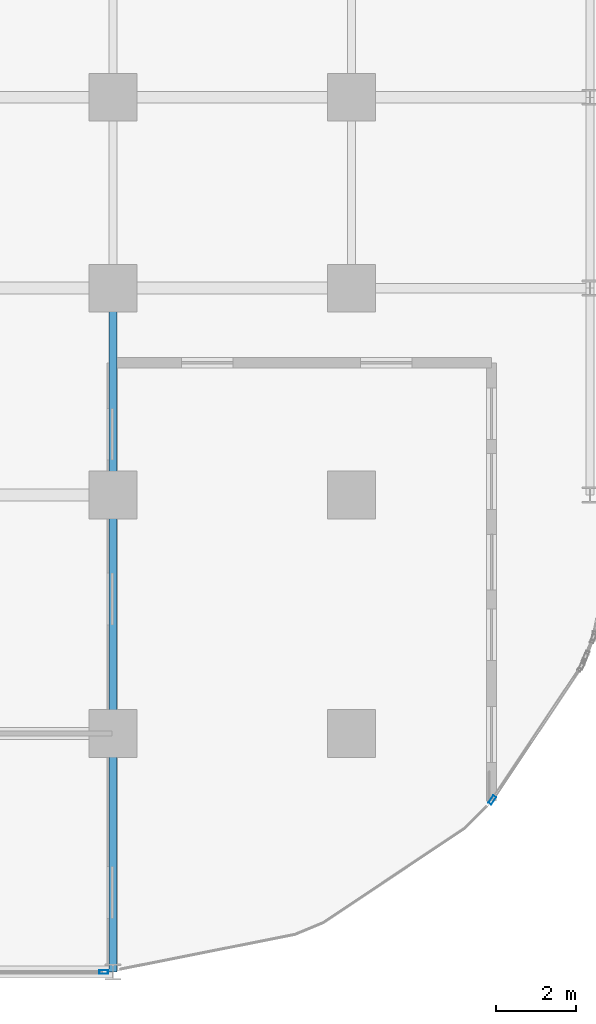
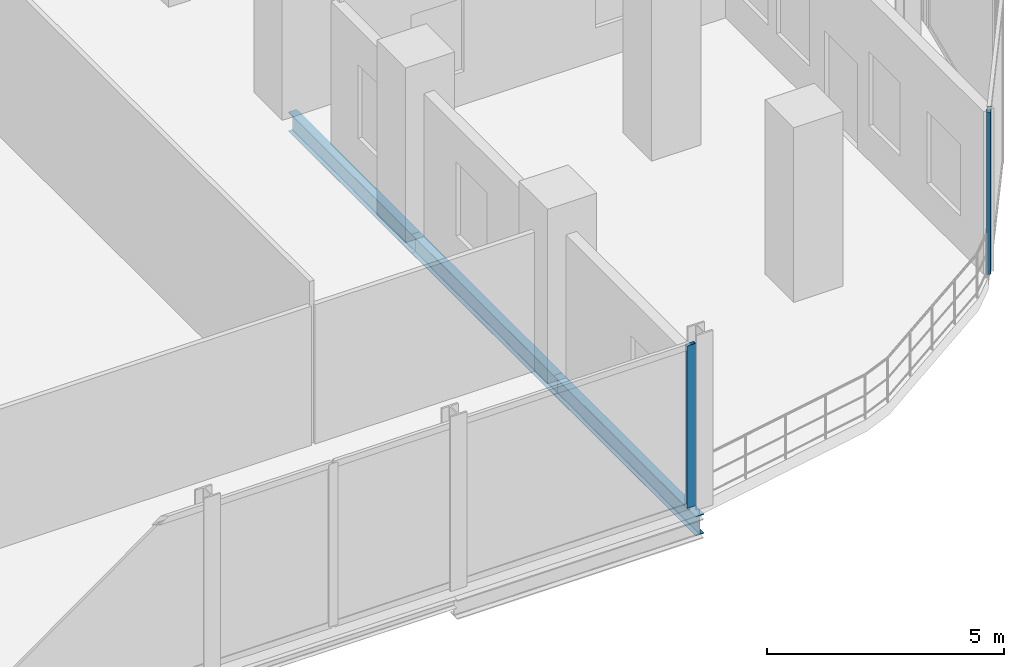
# One storey, part 10 of 30: 3 beams, 2 members, 2 elements without a shape of their own.
"""IFC4 building model written with IfcOpenShell, lengths in metres."""

from ifc_helpers import new_model, si_unit, direction, frame, origin, origin_2d, place, context, subcontext, project, spatial, hollow_rectangle, i_section, extrude, material, layer, layer_set, material_profile, profile_set, type_object, element, aggregate, save


model = new_model("IFC4")

# Units and contexts
model_context = context("Model", 3, precision=1e-05, world=origin(), true_north=direction((0.0, 1.0)))
body_context = subcontext(model_context, "Body", "Model", "MODEL_VIEW")
ifc_project = project(units=[si_unit("LENGTHUNIT", "METRE"), si_unit("AREAUNIT", "SQUARE_METRE"), si_unit("VOLUMEUNIT", "CUBIC_METRE"), si_unit("PLANEANGLEUNIT", "RADIAN"), si_unit("MASSUNIT", "GRAM", prefix="KILO")], contexts=[model_context])

# Site, building, storey
site_placement = place(None, origin())
site = spatial("IfcSite", under=ifc_project, at=site_placement, CompositionType="ELEMENT")
building_placement = place(site_placement, origin())
building = spatial("IfcBuilding", under=site, at=building_placement, Name="Keshet Zoharim Tower", CompositionType="ELEMENT")
storey_placement = place(building_placement, frame((0.0, 0.0, 65.60009765625)))
storey = spatial("IfcBuildingStorey", under=building, at=storey_placement, Name="L15", CompositionType="ELEMENT", Elevation=65.60009765625)

# Beams
ifc_material_1 = material(Name="Steel S355", Category="steel")
ifc_material_profile_1 = material_profile(ifc_material_1, i_section(OverallWidth=0.199951171875, OverallDepth=0.5, WebThickness=0.01025390625, FlangeThickness=0.01611328125, FilletRadius=0.02099609375, at=origin_2d()), Name="IPE500")
ifc_profile_set_1 = profile_set([ifc_material_profile_1], Name="Steel S355")
beam_type = type_object("IfcBeamType", Name="BM-PRI-IP500", PredefinedType="BEAM", material=ifc_profile_set_1)
for number, where, z_axis, x_axis, name in (
    (1, (57.0, 0.699951171875, -0.570068359375), (0.0, 1.0, 0.0), (-1.0, 0.0, 0.0), "L15 Primary Girder Y-013"),
    (2, (57.0, 6.699951171875, -0.570068359375), (0.0, 1.0, 0.0), (-1.0, 0.0, 0.0), "L15 Primary Girder Y-014"),
):
    element("IfcBeam", number, at=place(storey_placement, frame(where, z_axis=z_axis, x_axis=x_axis)), inside=storey, type_object=beam_type, Name=name, PredefinedType="BEAM", context=body_context, shape_type="SweptSolid", body=[
        extrude(i_section(OverallWidth=0.199951171875, OverallDepth=0.5, WebThickness=0.01025390625, FlangeThickness=0.01611328125, FilletRadius=0.02099609375, at=origin_2d()), origin(), (0.0, 0.0, 1.0), 6.0),
    ])
beam_placement = place(storey_placement, frame((57.0, 12.699951171875, -0.570068359375), z_axis=(0.0, 1.0, 0.0), x_axis=(-1.0, 0.0, 0.0)))
element("IfcBeam", 3, at=beam_placement, inside=storey, type_object=beam_type, Name="L15 Primary Girder Y-015", PredefinedType="BEAM", context=body_context, shape_type="SweptSolid", body=[
    extrude(i_section(OverallWidth=0.199951171875, OverallDepth=0.5, WebThickness=0.01025390625, FlangeThickness=0.01611328125, FilletRadius=0.02099609375, at=origin_2d()), origin(), (0.0, 0.0, 1.0), 5.199951171875),
])

# Curtain wall, member
ifc_material_2 = material(Name="Aluminium 6063-T6", Category="aluminium")
ifc_layer = layer(ifc_material_2, 0.179931640625)
ifc_layer_set = layer_set([ifc_layer], Name="Aluminium 6063-T6")
curtain_wall_type = type_object("IfcCurtainWallType", Name="CW-SYS-01", PredefinedType="NOTDEFINED", material=ifc_layer_set)
curtain_wall_1_placement = place(storey_placement, origin())
curtain_wall_1 = element("IfcCurtainWall", 4, at=curtain_wall_1_placement, inside=storey, type_object=curtain_wall_type, Name="L15 Unitised Curtain Wall 18", PredefinedType="NOTDEFINED")
ifc_material_profile_2 = material_profile(ifc_material_2, hollow_rectangle(XDim=0.090087890625, YDim=0.219970703125, WallThickness=0.0048828125, at=origin_2d()), Name="MUL-90x220")
ifc_profile_set_2 = profile_set([ifc_material_profile_2], Name="Aluminium 6063-T6")
member_type = type_object("IfcMemberType", Name="CWM-M22", PredefinedType="MULLION", material=ifc_profile_set_2)
member_1_placement = place(storey_placement, frame((66.53955078125, 5.027099609375, 0.0), z_axis=(0.0, 0.0, 1.0), x_axis=(0.831484841728, -0.555547439897, 0.0)))
member_1 = element("IfcMember", 5, at=member_1_placement, type_object=member_type, Name="CW-01 mullion 2", PredefinedType="MULLION", context=body_context, shape_type="SweptSolid", body=[
    extrude(hollow_rectangle(XDim=0.090087890625, YDim=0.219970703125, WallThickness=0.0048828125, at=origin_2d()), origin(), (0.0, 0.0, 1.0), 4.184814453125),
])
aggregate(curtain_wall_1, [member_1])

curtain_wall_2_placement = place(storey_placement, origin())
curtain_wall_2 = element("IfcCurtainWall", 6, at=curtain_wall_2_placement, inside=storey, type_object=curtain_wall_type, Name="L15 Unitised Curtain Wall 19", PredefinedType="NOTDEFINED")
member_2_placement = place(storey_placement, frame((56.76806640625, 0.699951171875, 0.0), z_axis=(0.0, 0.0, 1.0), x_axis=(0.0, -1.0, 0.0)))
member_2 = element("IfcMember", 7, at=member_2_placement, type_object=member_type, Name="CW-01 mullion 1", PredefinedType="MULLION", context=body_context, shape_type="SweptSolid", body=[
    extrude(hollow_rectangle(XDim=0.090087890625, YDim=0.219970703125, WallThickness=0.0048828125, at=origin_2d()), origin(), (0.0, 0.0, 1.0), 4.184814453125),
])
aggregate(curtain_wall_2, [member_2])

save(model, "model.ifc")
